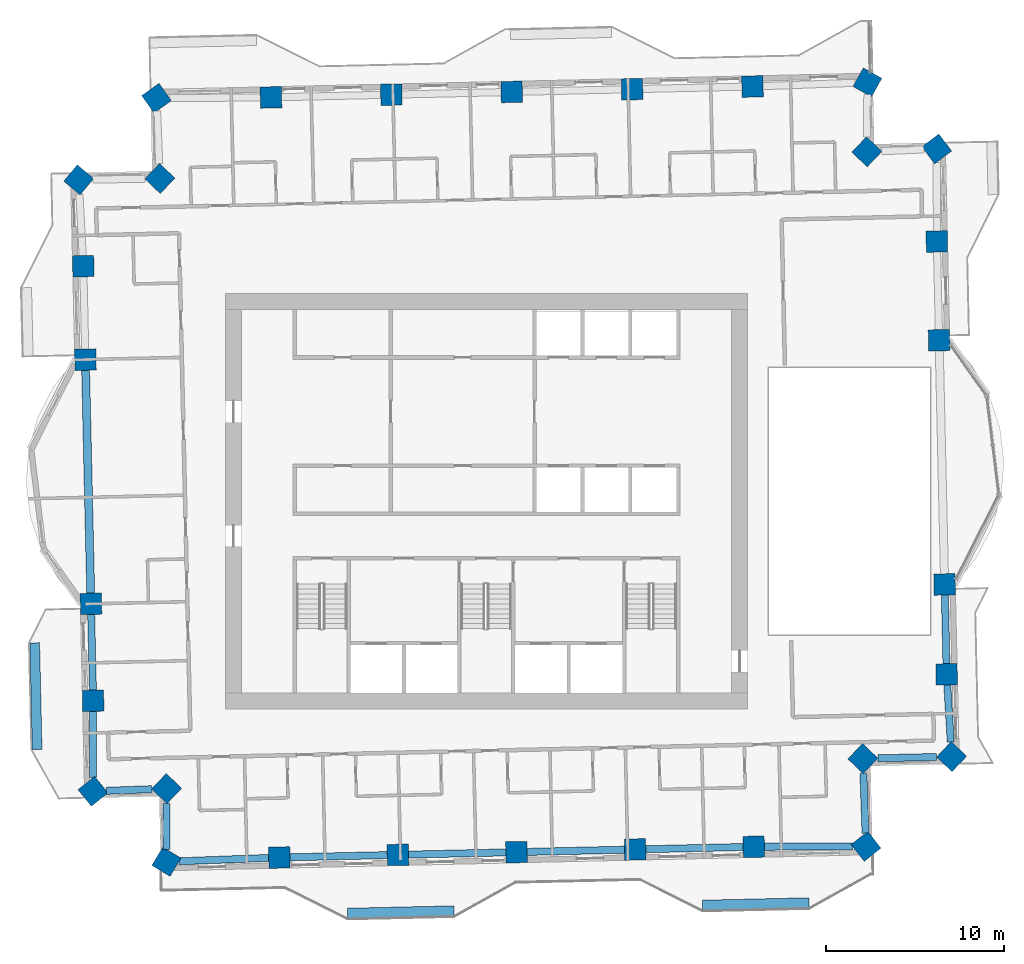
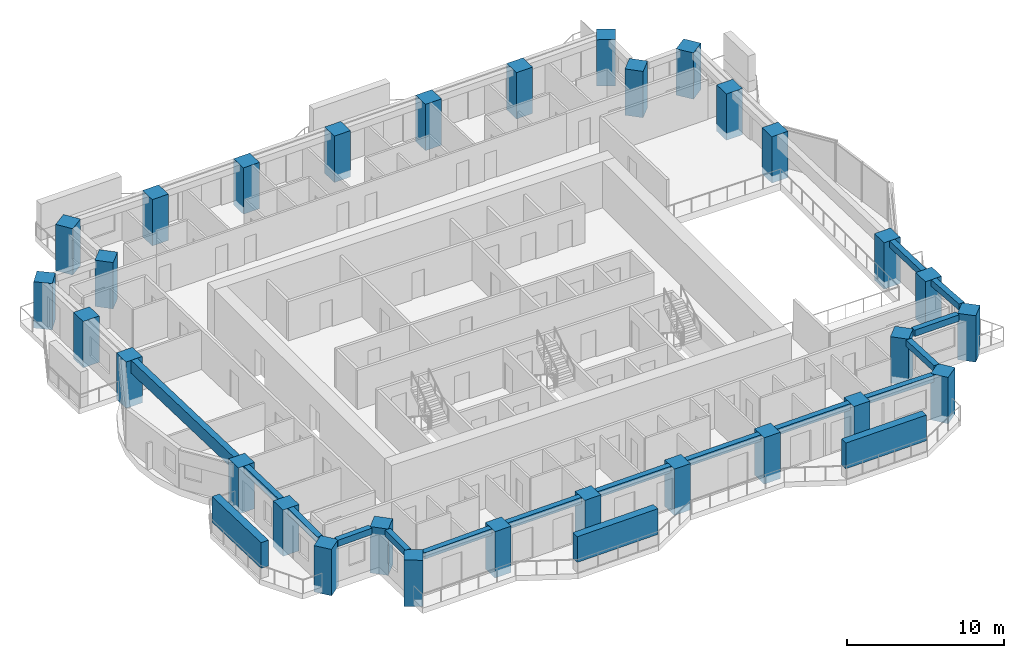
# One storey, part 1 of 14: 30 columns, 15 beams, 3 members.
"""IFC4 building model written with IfcOpenShell, lengths in metres."""

from ifc_helpers import new_model, si_unit, direction, frame, origin, origin_2d, place, context, subcontext, project, spatial, rectangle, extrude, material, material_profile, profile_set, type_object, element, save


model = new_model("IFC4")

# Units and contexts
model_context = context("Model", 3, precision=1e-05, world=origin(), true_north=direction((0.0, 1.0)))
body_context = subcontext(model_context, "Body", "Model", "MODEL_VIEW")
ifc_project = project(units=[si_unit("LENGTHUNIT", "METRE"), si_unit("AREAUNIT", "SQUARE_METRE"), si_unit("VOLUMEUNIT", "CUBIC_METRE"), si_unit("PLANEANGLEUNIT", "RADIAN"), si_unit("MASSUNIT", "GRAM", prefix="KILO")], contexts=[model_context])

# Site, building, storey
site_placement = place(None, origin())
site = spatial("IfcSite", under=ifc_project, at=site_placement, CompositionType="ELEMENT")
building_placement = place(site_placement, origin())
building = spatial("IfcBuilding", under=site, at=building_placement, Name="Mangrove Gate Tower", CompositionType="ELEMENT")
storey_placement = place(building_placement, frame((0.0, 0.0, 182.5)))
storey = spatial("IfcBuildingStorey", under=building, at=storey_placement, Name="L46", CompositionType="ELEMENT", Elevation=182.5)

# Columns
ifc_material_1 = material(Name="Concrete C60/75", Category="concrete")
ifc_material_profile_1 = material_profile(ifc_material_1, rectangle(XDim=1.199951171875, YDim=1.199951171875, at=origin_2d()))
ifc_profile_set_1 = profile_set([ifc_material_profile_1], Name="Concrete C60/75")
column_type = type_object("IfcColumnType", Name="Column RC 1200x1200 C60/75", PredefinedType="COLUMN", material=ifc_profile_set_1)
for number, where, z_axis, x_axis, name in (
    (1, (-22.278076171875, -5.769287109375, -0.550048828125), (0.0, 0.0, 1.0), (0.022693021881, -0.999742480221, 0.0), "Column L46 W05"),
    (2, (-22.154052734375, -11.2294921875, -0.550048828125), (0.0, 0.0, 1.0), (0.022702688514, -0.999742260752, 0.0), "Column L46 W06"),
    (3, (-22.162841796875, -16.32763671875, -0.550048828125), (0.0, 0.0, 1.0), (0.627363756843, -0.778726342562, 0.0), "Column L46 W07"),
    (4, (-18.016357421875, -16.17529296875, -0.550048828125), (0.0, 0.0, 1.0), (0.722919671176, -0.69093208713, 0.0), "Column L46 W08"),
    (5, (-18.0283203125, -20.29296875, -0.550048828125), (0.0, 0.0, 1.0), (0.858408426084, -0.512966835213, 0.0), "Column L46 S01"),
    (6, (-11.670654296875, -20.05712890625, -0.550048828125), (0.0, 0.0, 1.0), (0.99974280054, 0.022678905801, 0.0), "Column L46 S02"),
    (7, (-4.99267578125, -19.9052734375, -0.550048828125), (0.0, 0.0, 1.0), (0.999741061935, 0.022755418739, 0.0), "Column L46 S03"),
    (8, (1.685302734375, -19.753173828125, -0.550048828125), (0.0, 0.0, 1.0), (0.99974280054, 0.022678905801, 0.0), "Column L46 S04"),
    (9, (8.364501953125, -19.60205078125, -0.550048828125), (0.0, 0.0, 1.0), (0.99974280054, 0.022678905801, 0.0), "Column L46 S05"),
    (10, (15.04248046875, -19.4501953125, -0.550048828125), (0.0, 0.0, 1.0), (0.999742762144, 0.022680598335, 0.0), "Column L46 S06"),
    (11, (21.36376953125, -19.427001953125, -0.550048828125), (0.0, 0.0, 1.0), (0.786796358031, 0.617212678895, 0.0), "Column L46 S07"),
    (12, (21.187255859375, -14.485595703125, -0.550048828125), (0.0, 0.0, 1.0), (0.690872556232, 0.722976563275, 0.0), "Column L46 E01"),
    (13, (26.1826171875, -14.375244140625, -0.550048828125), (0.0, 0.0, 1.0), (0.686359333294, 0.727262583666, 0.0), "Column L46 E02"),
    (14, (25.904052734375, -9.739501953125, -0.550048828125), (0.0, 0.0, 1.0), (-0.022618201372, 0.99974417576, 0.0), "Column L46 E03"),
    (15, (25.7900390625, -4.678466796875, -0.550048828125), (0.0, 0.0, 1.0), (-0.022642926354, 0.999743616077, 0.0), "Column L46 E04"),
    (16, (25.478271484375, 9.0693359375, -0.550048828125), (0.0, 0.0, 1.0), (-0.022730815961, 0.999741621623, 0.0), "Column L46 E05"),
    (17, (25.35107421875, 14.62939453125, -0.550048828125), (0.0, 0.0, 1.0), (-0.022743867649, 0.999741324786, 0.0), "Column L46 E06"),
    (18, (25.345947265625, 19.8427734375, -0.550048828125), (0.0, 0.0, 1.0), (-0.60202964529, 0.798473735443, 0.0), "Column L46 E07"),
    (19, (21.411376953125, 19.68017578125, -0.550048828125), (0.0, 0.0, 1.0), (-0.722837628433, 0.691017917945, 0.0), "Column L46 E08"),
    (20, (21.44287109375, 23.58935546875, -0.550048828125), (0.0, 0.0, 1.0), (-0.87259482079, 0.488444755045, 0.0), "Column L46 N01"),
    (21, (14.970703125, 23.359130859375, -0.550048828125), (0.0, 0.0, 1.0), (-0.99974202573, -0.022713035648, 0.0), "Column L46 N02"),
    (22, (8.192626953125, 23.205078125, -0.550048828125), (0.0, 0.0, 1.0), (-0.999741987673, -0.022714710732, 0.0), "Column L46 N03"),
    (23, (1.41455078125, 23.05126953125, -0.550048828125), (0.0, 0.0, 1.0), (-0.999741987673, -0.022714710732, 0.0), "Column L46 N04"),
    (24, (-5.363525390625, 22.897216796875, -0.550048828125), (0.0, 0.0, 1.0), (-0.99974369748, -0.022639331897, 0.0), "Column L46 N05"),
    (25, (-12.142333984375, 22.744140625, -0.550048828125), (0.0, 0.0, 1.0), (-0.99974369748, -0.022639331897, 0.0), "Column L46 N06"),
    (26, (-18.5859375, 22.701171875, -0.550048828125), (0.0, 0.0, 1.0), (-0.814549066691, -0.580094662924, 0.0), "Column L46 N07"),
    (27, (-18.396240234375, 18.176513671875, -0.550048828125), (0.0, 0.0, 1.0), (-0.690859559249, -0.722988982899, 0.0), "Column L46 W01"),
    (28, (-22.967529296875, 18.1025390625, -0.550048828125), (0.0, 0.0, 1.0), (-0.640873753585, -0.767646293527, 0.0), "Column L46 W02"),
    (29, (-22.709228515625, 13.239501953125, -0.550048828125), (0.0, 0.0, 1.0), (0.022613490188, -0.999744282335, 0.0), "Column L46 W03"),
    (30, (-22.590087890625, 7.978515625, -0.550048828125), (0.0, 0.0, 1.0), (0.022667651322, -0.999743055782, 0.0), "Column L46 W04"),
):
    element("IfcColumn", number, at=place(storey_placement, frame(where, z_axis=z_axis, x_axis=x_axis)), inside=storey, type_object=column_type, Name=name, PredefinedType="COLUMN", context=body_context, shape_type="SweptSolid", body=[
        extrude(rectangle(XDim=1.199951171875, YDim=1.199951171875, at=origin_2d()), origin(), (0.0, 0.0, 1.0), 3.60009765625),
    ])

# Members
ifc_material_2 = material(Name="Planting on aluminium trellis", Category="aluminium")
ifc_material_profile_2 = material_profile(ifc_material_2, rectangle(XDim=0.550048828125, YDim=2.0, at=origin_2d()))
ifc_profile_set_2 = profile_set([ifc_material_profile_2], Name="Planting on aluminium trellis")
member_type = type_object("IfcMemberType", Name="Balcony greenery screen 550x2000", PredefinedType="USERDEFINED", material=ifc_profile_set_2)
for number, where, z_axis, x_axis, name in (
    (31, (-25.30810546875, -13.965087890625, 1.800048828125), (-0.022662255828, 0.999743178102, 0.0), (-0.999743178102, -0.022662255828, 0.0), "GREEN SCREEN L46 W1.1"),
    (32, (-7.839111328125, -23.18603515625, 1.800048828125), (0.999739477659, 0.022824916448, 0.0), (-0.022824916448, 0.999739477659, 0.0), "GREEN SCREEN L46 S0.1"),
    (33, (12.156005859375, -22.73193359375, 1.800048828125), (0.999743178102, 0.022662255828, 0.0), (-0.022662255828, 0.999743178102, 0.0), "GREEN SCREEN L46 S1.1"),
):
    element("IfcMember", number, at=place(storey_placement, frame(where, z_axis=z_axis, x_axis=x_axis)), inside=storey, type_object=member_type, Name=name, ObjectType="PLANTING", PredefinedType="USERDEFINED", context=body_context, shape_type="SweptSolid", body=[
        extrude(rectangle(XDim=0.550048828125, YDim=2.0, at=origin_2d()), origin(), (0.0, 0.0, 1.0), 6.00048828125),
    ])

# Beams
ifc_material_3 = material(Name="Concrete C50/60", Category="concrete")
ifc_material_profile_3 = material_profile(ifc_material_3, rectangle(XDim=0.39990234375, YDim=0.5, at=origin_2d()))
ifc_profile_set_3 = profile_set([ifc_material_profile_3], Name="Concrete C50/60")
beam_type_1 = type_object("IfcBeamType", Name="Edge beam RC 400x500 C50/60", PredefinedType="BEAM", material=ifc_profile_set_3)
beam_1_placement = place(storey_placement, frame((-22.2646484375, -6.369140625, 2.800048828125), z_axis=(0.022743528108, -0.99974133251, 0.0), x_axis=(0.99974133251, 0.022743528108, 0.0)))
element("IfcBeam", 34, at=beam_1_placement, inside=storey, type_object=beam_type_1, Name="Edge beam L46 00", PredefinedType="BEAM", context=body_context, shape_type="SweptSolid", body=[
    extrude(rectangle(XDim=0.39990234375, YDim=0.5, at=origin_2d()), origin(), (0.0, 0.0, 1.0), 4.26171875),
])
beam_2_placement = place(storey_placement, frame((-22.1552734375, -11.82958984375, 2.800048828125), z_axis=(-0.001637838474, -0.999998658742, 0.0), x_axis=(0.999998658742, -0.001637838474, 0.0)))
element("IfcBeam", 35, at=beam_2_placement, inside=storey, type_object=beam_type_1, Name="Edge beam L46 01", PredefinedType="BEAM", context=body_context, shape_type="SweptSolid", body=[
    extrude(rectangle(XDim=0.39990234375, YDim=0.5, at=origin_2d()), origin(), (0.0, 0.0, 1.0), 3.7265625),
])
beam_3_placement = place(storey_placement, frame((-21.414306640625, -16.300048828125, 2.800048828125), z_axis=(0.999327431399, 0.036669944824, 0.0), x_axis=(-0.036669944824, 0.999327431399, 0.0)))
element("IfcBeam", 36, at=beam_3_placement, inside=storey, type_object=beam_type_1, Name="Edge beam L46 02", PredefinedType="BEAM", context=body_context, shape_type="SweptSolid", body=[
    extrude(rectangle(XDim=0.39990234375, YDim=0.5, at=origin_2d()), origin(), (0.0, 0.0, 1.0), 2.563232421875),
])
beam_4_placement = place(storey_placement, frame((-18.018798828125, -17.0029296875, 2.800048828125), z_axis=(-0.002825379568, -0.999996008607, 0.0), x_axis=(0.999996008607, -0.002825379568, 0.0)))
element("IfcBeam", 37, at=beam_4_placement, inside=storey, type_object=beam_type_1, Name="Edge beam L46 03", PredefinedType="BEAM", context=body_context, shape_type="SweptSolid", body=[
    extrude(rectangle(XDim=0.39990234375, YDim=0.5, at=origin_2d()), origin(), (0.0, 0.0, 1.0), 2.59228515625),
])
beam_5_placement = place(storey_placement, frame((-17.3134765625, -20.266357421875, 2.800048828125), z_axis=(0.999313176036, 0.03705639216, 0.0), x_axis=(-0.03705639216, 0.999313176036, 0.0)))
element("IfcBeam", 38, at=beam_5_placement, inside=storey, type_object=beam_type_1, Name="Edge beam L46 04", PredefinedType="BEAM", context=body_context, shape_type="SweptSolid", body=[
    extrude(rectangle(XDim=0.39990234375, YDim=0.5, at=origin_2d()), origin(), (0.0, 0.0, 1.0), 5.046630859375),
])
for number, where, z_axis, x_axis, name in (
    (39, (-11.07080078125, -20.04345703125, 2.800048828125), (0.999740799445, 0.022766948104, 0.0), (-0.022766948104, 0.999740799445, 0.0), "Edge beam L46 05"),
    (40, (-4.392822265625, -19.8916015625, 2.800048828125), (0.999740799445, 0.022766948104, 0.0), (-0.022766948104, 0.999740799445, 0.0), "Edge beam L46 06"),
):
    element("IfcBeam", number, at=place(storey_placement, frame(where, z_axis=z_axis, x_axis=x_axis)), inside=storey, type_object=beam_type_1, Name=name, PredefinedType="BEAM", context=body_context, shape_type="SweptSolid", body=[
        extrude(rectangle(XDim=0.39990234375, YDim=0.5, at=origin_2d()), origin(), (0.0, 0.0, 1.0), 5.479736328125),
    ])
beam_6_placement = place(storey_placement, frame((2.28515625, -19.739501953125, 2.800048828125), z_axis=(0.999744953581, 0.022583794843, 0.0), x_axis=(-0.022583794843, 0.999744953581, 0.0)))
element("IfcBeam", 41, at=beam_6_placement, inside=storey, type_object=beam_type_1, Name="Edge beam L46 07", PredefinedType="BEAM", context=body_context, shape_type="SweptSolid", body=[
    extrude(rectangle(XDim=0.39990234375, YDim=0.5, at=origin_2d()), origin(), (0.0, 0.0, 1.0), 5.48095703125),
])
beam_7_placement = place(storey_placement, frame((8.96435546875, -19.588623046875, 2.800048828125), z_axis=(0.999740799445, 0.022766948104, 0.0), x_axis=(-0.022766948104, 0.999740799445, 0.0)))
element("IfcBeam", 42, at=beam_7_placement, inside=storey, type_object=beam_type_1, Name="Edge beam L46 08", PredefinedType="BEAM", context=body_context, shape_type="SweptSolid", body=[
    extrude(rectangle(XDim=0.39990234375, YDim=0.5, at=origin_2d()), origin(), (0.0, 0.0, 1.0), 5.479736328125),
])
beam_8_placement = place(storey_placement, frame((15.642578125, -19.447998046875, 2.800048828125), z_axis=(0.999993187862, 0.003691101387, 0.0), x_axis=(-0.003691101387, 0.999993187862, 0.0)))
element("IfcBeam", 43, at=beam_8_placement, inside=storey, type_object=beam_type_1, Name="Edge beam L46 09", PredefinedType="BEAM", context=body_context, shape_type="SweptSolid", body=[
    extrude(rectangle(XDim=0.39990234375, YDim=0.5, at=origin_2d()), origin(), (0.0, 0.0, 1.0), 4.960693359375),
])
beam_9_placement = place(storey_placement, frame((21.337158203125, -18.68505859375, 2.800048828125), z_axis=(-0.035701883706, 0.999362484537, 0.0), x_axis=(-0.999362484537, -0.035701883706, 0.0)))
element("IfcBeam", 44, at=beam_9_placement, inside=storey, type_object=beam_type_1, Name="Edge beam L46 10", PredefinedType="BEAM", context=body_context, shape_type="SweptSolid", body=[
    extrude(rectangle(XDim=0.39990234375, YDim=0.5, at=origin_2d()), origin(), (0.0, 0.0, 1.0), 3.364501953125),
])
beam_10_placement = place(storey_placement, frame((22.034912109375, -14.466796875, 2.800048828125), z_axis=(0.99975619393, 0.022080595508, 0.0), x_axis=(-0.022080595508, 0.99975619393, 0.0)))
element("IfcBeam", 45, at=beam_10_placement, inside=storey, type_object=beam_type_1, Name="Edge beam L46 11", PredefinedType="BEAM", context=body_context, shape_type="SweptSolid", body=[
    extrude(rectangle(XDim=0.39990234375, YDim=0.5, at=origin_2d()), origin(), (0.0, 0.0, 1.0), 3.305908203125),
])
beam_11_placement = place(storey_placement, frame((26.13330078125, -13.55322265625, 2.800048828125), z_axis=(-0.059970856871, 0.998200128394, 0.0), x_axis=(-0.998200128394, -0.059970856871, 0.0)))
element("IfcBeam", 46, at=beam_11_placement, inside=storey, type_object=beam_type_1, Name="Edge beam L46 12", PredefinedType="BEAM", context=body_context, shape_type="SweptSolid", body=[
    extrude(rectangle(XDim=0.39990234375, YDim=0.5, at=origin_2d()), origin(), (0.0, 0.0, 1.0), 3.22021484375),
])
beam_12_placement = place(storey_placement, frame((25.890625, -9.1396484375, 2.800048828125), z_axis=(-0.022503151924, 0.999746772015, 0.0), x_axis=(-0.999746772015, -0.022503151924, 0.0)))
element("IfcBeam", 47, at=beam_12_placement, inside=storey, type_object=beam_type_1, Name="Edge beam L46 13", PredefinedType="BEAM", context=body_context, shape_type="SweptSolid", body=[
    extrude(rectangle(XDim=0.39990234375, YDim=0.5, at=origin_2d()), origin(), (0.0, 0.0, 1.0), 3.8623046875),
])
ifc_material_4 = material(Name="Concrete C50/60", Category="concrete")
ifc_material_profile_4 = material_profile(ifc_material_4, rectangle(XDim=0.449951171875, YDim=1.0, at=origin_2d()))
ifc_profile_set_4 = profile_set([ifc_material_profile_4], Name="Concrete C50/60")
beam_type_2 = type_object("IfcBeamType", Name="Edge beam RC 450x1000 C50/60", PredefinedType="BEAM", material=ifc_profile_set_4)
beam_13_placement = place(storey_placement, frame((-22.57666015625, 7.378662109375, 2.550048828125), z_axis=(0.022699754772, -0.999742327369, 0.0), x_axis=(0.999742327369, 0.022699754772, 0.0)))
element("IfcBeam", 48, at=beam_13_placement, inside=storey, type_object=beam_type_2, Name="Edge beam L46 29", PredefinedType="BEAM", context=body_context, shape_type="SweptSolid", body=[
    extrude(rectangle(XDim=0.449951171875, YDim=1.0, at=origin_2d()), origin(), (0.0, 0.0, 1.0), 12.55126953125),
])

save(model, "model.ifc")
